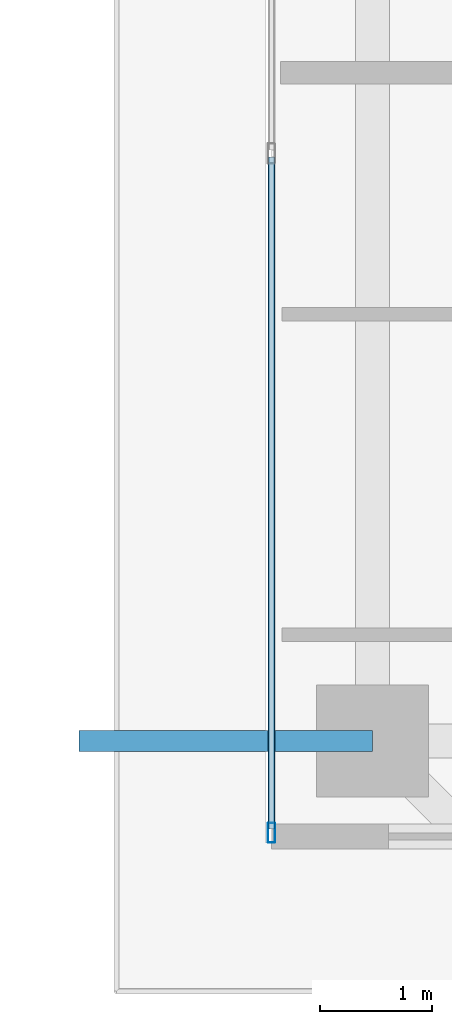
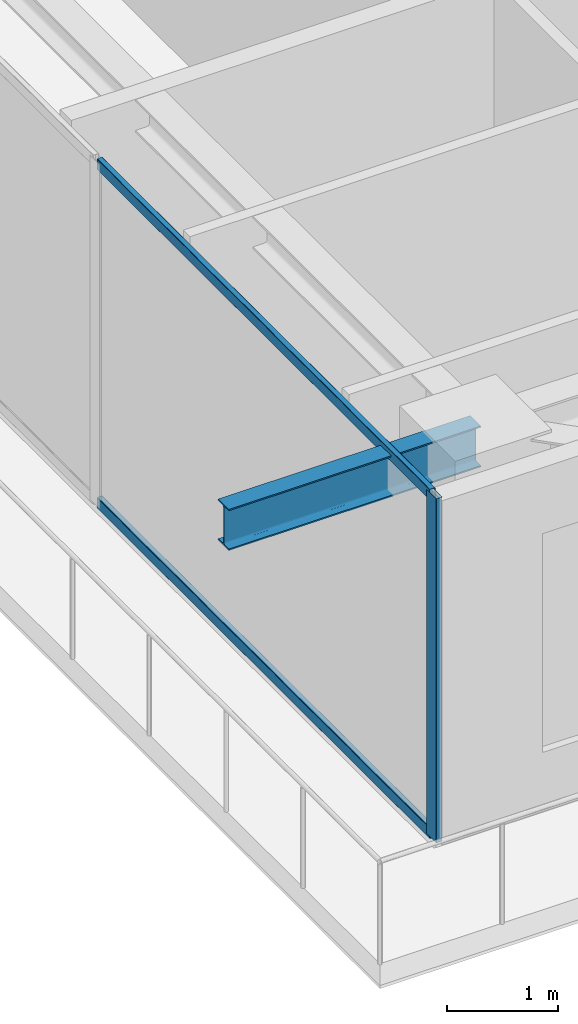
# One storey, part 3 of 41: 3 members, 1 beam, 1 element without a shape of its own.
"""IFC4 building model written with IfcOpenShell, lengths in metres."""

from ifc_helpers import new_model, si_unit, direction, frame, origin, origin_2d, place, context, subcontext, project, spatial, hollow_rectangle, i_section, extrude, source, transform, mapped, material, layer, layer_set, material_profile, profile_set, type_object, element, aggregate, save


model = new_model("IFC4")

# Units and contexts
model_context = context("Model", 3, precision=1e-05, world=origin(), true_north=direction((0.0, 1.0)))
body_context = subcontext(model_context, "Body", "Model", "MODEL_VIEW")
ifc_project = project(units=[si_unit("LENGTHUNIT", "METRE"), si_unit("AREAUNIT", "SQUARE_METRE"), si_unit("VOLUMEUNIT", "CUBIC_METRE"), si_unit("PLANEANGLEUNIT", "RADIAN"), si_unit("MASSUNIT", "GRAM", prefix="KILO")], contexts=[model_context])

# Site, building, storey
site_placement = place(None, origin())
site = spatial("IfcSite", under=ifc_project, at=site_placement, CompositionType="ELEMENT")
building_placement = place(site_placement, origin())
building = spatial("IfcBuilding", under=site, at=building_placement, Name="Serunith Strait Residences", CompositionType="ELEMENT")
storey_placement = place(building_placement, frame((0.0, 0.0, 301.550048828125)))
storey = spatial("IfcBuildingStorey", under=building, at=storey_placement, Name="L75", CompositionType="ELEMENT", Elevation=301.550048828125)

# Beam
ifc_material_1 = material(Name="Steel S355J2", Category="steel")
ifc_material_profile_1 = material_profile(ifc_material_1, i_section(OverallWidth=0.18994140625, OverallDepth=0.449951171875, WebThickness=0.009521484375, FlangeThickness=0.0146484375, FilletRadius=0.02099609375, at=origin_2d()), Name="IPE 450")
ifc_profile_set_1 = profile_set([ifc_material_profile_1], Name="Steel S355J2")
beam_type = type_object("IfcBeamType", Name="BM-IPE450", PredefinedType="JOIST", material=ifc_profile_set_1)
shared_shape_1 = source(origin(), body_context, "Body", "SweptSolid", [
    extrude(i_section(OverallWidth=0.18994140625, OverallDepth=0.449951171875, WebThickness=0.009521484375, FlangeThickness=0.0146484375, FilletRadius=0.02099609375, at=origin_2d()), origin(), (0.0, 0.0, 1.0), 2.61572265625),
])
beam_placement = place(storey_placement, frame((10.10009765625, 10.85009765625, 3.531982421875), z_axis=(-1.0, 0.0, 0.0), x_axis=(0.0, -1.0, 0.0)))
element("IfcBeam", 1, at=beam_placement, inside=storey, type_object=beam_type, Name="L76 Cantilevered Balcony Rib TC-W1", PredefinedType="JOIST", context=body_context, shape_type="MappedRepresentation", body=[
    mapped(shared_shape_1, transform((0.0, 0.0, 0.0), scale=1.0)),
])

# Curtain wall, members
ifc_material_2 = material(Name="Brushed Stainless-Silver Aluminium", Category="aluminium")
ifc_layer = layer(ifc_material_2, 0.199951171875, Name="Brushed Stainless-Silver Aluminium")
ifc_layer_set = layer_set([ifc_layer], Name="Brushed Stainless-Silver Aluminium")
curtain_wall_type = type_object("IfcCurtainWallType", Name="CW-SYS5", PredefinedType="NOTDEFINED", material=ifc_layer_set)
curtain_wall_placement = place(storey_placement, origin())
curtain_wall = element("IfcCurtainWall", 2, at=curtain_wall_placement, inside=storey, type_object=curtain_wall_type, Name="L75 W Unitised Fritted Curtain Wall", PredefinedType="NOTDEFINED")
ifc_material_profile_2 = material_profile(ifc_material_2, hollow_rectangle(XDim=0.06005859375, YDim=0.1201171875, WallThickness=0.00341796875, InnerFilletRadius=0.00537109375, OuterFilletRadius=0.0087890625, at=origin_2d()), Name="ALU 120x60x3.5")
ifc_profile_set_2 = profile_set([ifc_material_profile_2], Name="Brushed Stainless-Silver Aluminium")
member_type_1 = type_object("IfcMemberType", Name="CW-SYS5-TRAN", PredefinedType="USERDEFINED", material=ifc_profile_set_2)
shared_shape_2 = source(origin(), body_context, "Body", "SweptSolid", [
    extrude(hollow_rectangle(XDim=0.06005859375, YDim=0.1201171875, WallThickness=0.00341796875, InnerFilletRadius=0.00537109375, OuterFilletRadius=0.0087890625, at=origin_2d()), origin(), (0.0, 0.0, 1.0), 5.982666015625),
])
member_1_placement = place(storey_placement, frame((9.199951171875, 16.047607421875, 0.030029296875), z_axis=(0.0, -1.0, 0.0), x_axis=(1.0, 0.0, 0.0)))
member_1 = element("IfcMember", 3, at=member_1_placement, type_object=member_type_1, Name="CW-5 transom 5.1", ObjectType="TRANSOM", PredefinedType="USERDEFINED", context=body_context, shape_type="MappedRepresentation", body=[
    mapped(shared_shape_2, transform((0.0, 0.0, 0.0), scale=1.0)),
])
member_2_placement = place(storey_placement, frame((9.199951171875, 16.047607421875, 3.744873046875), z_axis=(0.0, -1.0, 0.0), x_axis=(1.0, 0.0, 0.0)))
member_2 = element("IfcMember", 4, at=member_2_placement, type_object=member_type_1, Name="CW-5 transom 5.2", ObjectType="TRANSOM", PredefinedType="USERDEFINED", context=body_context, shape_type="MappedRepresentation", body=[
    mapped(shared_shape_2, transform((0.0, 0.0, 0.0), scale=1.0)),
])
ifc_material_profile_3 = material_profile(ifc_material_2, hollow_rectangle(XDim=0.06494140625, YDim=0.179931640625, WallThickness=0.00341796875, InnerFilletRadius=0.00537109375, OuterFilletRadius=0.0087890625, at=origin_2d()), Name="ALU 180x65x3.5")
ifc_profile_set_3 = profile_set([ifc_material_profile_3], Name="Brushed Stainless-Silver Aluminium")
member_type_2 = type_object("IfcMemberType", Name="CW-SYS5-MULL", PredefinedType="MULLION", material=ifc_profile_set_3)
shared_shape_3 = source(origin(), body_context, "Body", "SweptSolid", [
    extrude(hollow_rectangle(XDim=0.06494140625, YDim=0.179931640625, WallThickness=0.00341796875, InnerFilletRadius=0.00537109375, OuterFilletRadius=0.0087890625, at=origin_2d()), origin(), (0.0, 0.0, 1.0), 3.77490234375),
])
member_3_placement = place(storey_placement, frame((9.199951171875, 10.032470703125, 0.0), z_axis=(0.0, 0.0, 1.0), x_axis=(1.0, 0.0, 0.0)))
member_3 = element("IfcMember", 5, at=member_3_placement, type_object=member_type_2, Name="CW-5 mullion 6", PredefinedType="MULLION", context=body_context, shape_type="MappedRepresentation", body=[
    mapped(shared_shape_3, transform((0.0, 0.0, 0.0), scale=1.0)),
])
aggregate(curtain_wall, [member_3, member_1, member_2])

save(model, "model.ifc")
